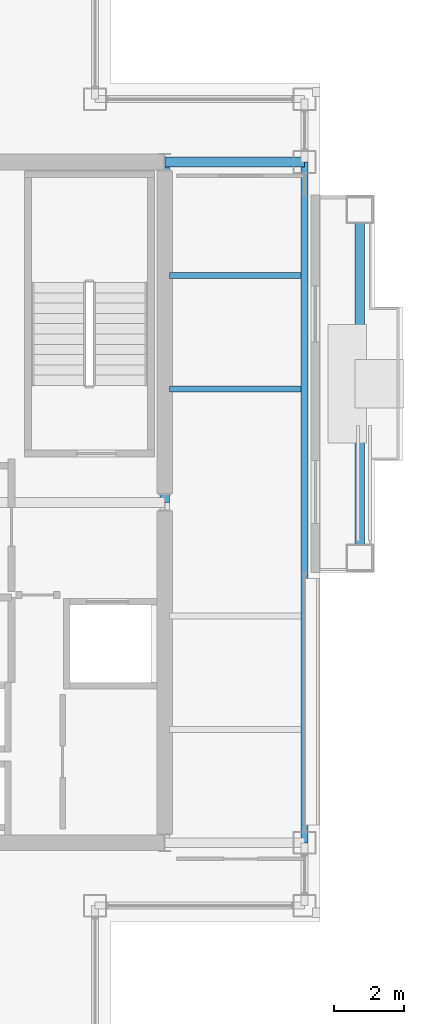
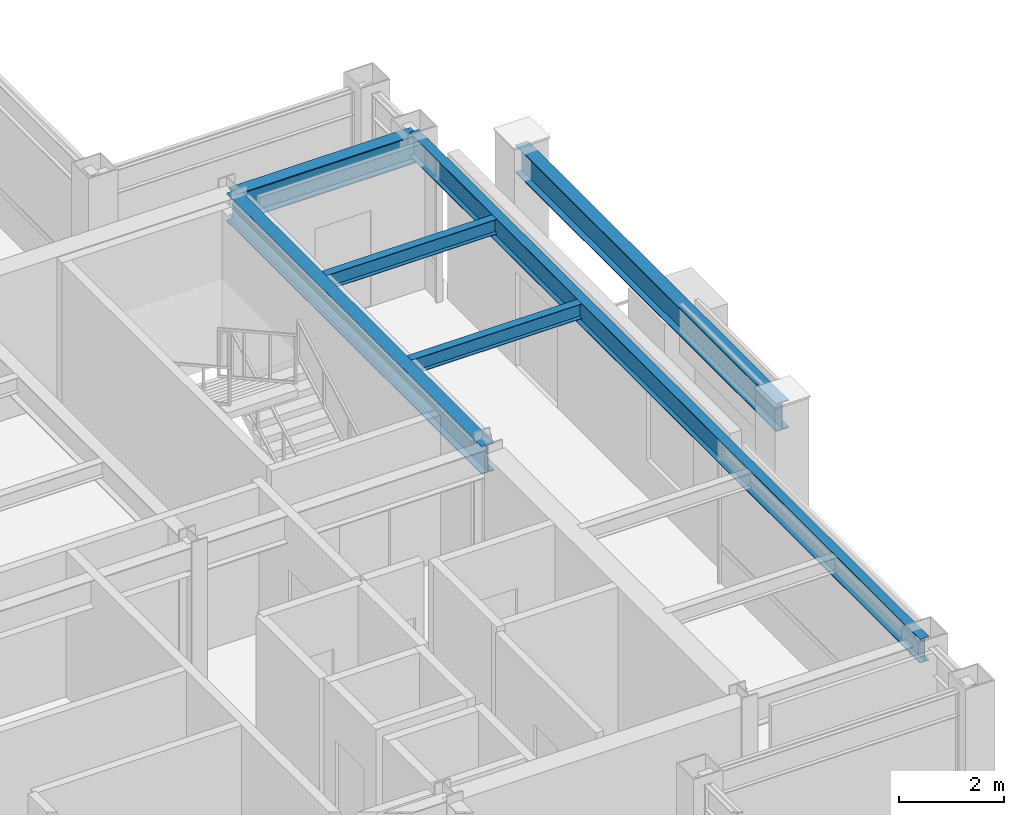
# One storey, part 12 of 23: 6 beams.
"""IFC4 building model written with IfcOpenShell, lengths in metres."""

from ifc_helpers import new_model, si_unit, direction, frame, origin, origin_2d, place, context, subcontext, project, spatial, i_section, extrude, material, material_profile, profile_set, type_object, element, save


model = new_model("IFC4")

# Units and contexts
model_context = context("Model", 3, precision=1e-05, world=origin(), true_north=direction((0.0, 1.0)))
body_context = subcontext(model_context, "Body", "Model", "MODEL_VIEW")
ifc_project = project(units=[si_unit("LENGTHUNIT", "METRE"), si_unit("AREAUNIT", "SQUARE_METRE"), si_unit("VOLUMEUNIT", "CUBIC_METRE"), si_unit("PLANEANGLEUNIT", "RADIAN"), si_unit("MASSUNIT", "GRAM", prefix="KILO")], contexts=[model_context])

# Site, building, storey
site_placement = place(None, origin())
site = spatial("IfcSite", under=ifc_project, at=site_placement, CompositionType="ELEMENT")
building_placement = place(site_placement, origin())
building = spatial("IfcBuilding", under=site, at=building_placement, Name="Brelmoor Portico Tower", CompositionType="ELEMENT")
storey_placement = place(building_placement, frame((0.0, 0.0, 222.0)))
storey = spatial("IfcBuildingStorey", under=building, at=storey_placement, Name="L58", CompositionType="ELEMENT", Elevation=222.0)

# Beams
ifc_material = material(Name="Steel Q355B", Category="steel")
ifc_material_profile_1 = material_profile(ifc_material, i_section(OverallWidth=0.175048828125, OverallDepth=0.35009765625, WebThickness=0.007080078125, FlangeThickness=0.010986328125, at=origin_2d()), Name="HN 350x175x7x11")
ifc_profile_set_1 = profile_set([ifc_material_profile_1], Name="Steel Q355B")
beam_type_1 = type_object("IfcBeamType", Name="BM-JS-350", PredefinedType="JOIST", material=ifc_profile_set_1)
for number, where, z_axis, x_axis, name in (
    (1, (14.68994140625, 3.25, 3.22509765625), (1.0, 0.0, 0.0), (0.0, 1.0, 0.0), "L58 Secondary Wing Joist JS-E13"),
    (2, (14.68994140625, 6.5, 3.22509765625), (1.0, 0.0, 0.0), (0.0, 1.0, 0.0), "L58 Secondary Wing Joist JS-E14"),
):
    element("IfcBeam", number, at=place(storey_placement, frame(where, z_axis=z_axis, x_axis=x_axis)), inside=storey, type_object=beam_type_1, Name=name, PredefinedType="JOIST", context=body_context, shape_type="SweptSolid", body=[
        extrude(i_section(OverallWidth=0.175048828125, OverallDepth=0.35009765625, WebThickness=0.007080078125, FlangeThickness=0.010986328125, at=origin_2d()), origin(), (0.0, 0.0, 1.0), 3.760009765625),
    ])
ifc_material_profile_2 = material_profile(ifc_material, i_section(OverallWidth=0.280029296875, OverallDepth=0.64990234375, WebThickness=0.012939453125, FlangeThickness=0.02197265625, at=origin_2d()), Name="HN 650x280x13x22")
ifc_profile_set_2 = profile_set([ifc_material_profile_2], Name="Steel Q355B")
beam_type_2 = type_object("IfcBeamType", Name="BM-PG-650", PredefinedType="BEAM", material=ifc_profile_set_2)
beam_1_placement = place(storey_placement, frame((14.550048828125, 0.0, 3.074951171875), z_axis=(0.0, 1.0, 0.0), x_axis=(-1.0, 0.0, 0.0)))
element("IfcBeam", 3, at=beam_1_placement, inside=storey, type_object=beam_type_2, Name="L58 Primary Floor Girder PG-10", PredefinedType="BEAM", context=body_context, shape_type="SweptSolid", body=[
    extrude(i_section(OverallWidth=0.280029296875, OverallDepth=0.64990234375, WebThickness=0.012939453125, FlangeThickness=0.02197265625, at=origin_2d()), origin(), (0.0, 0.0, 1.0), 9.75),
])
beam_2_placement = place(storey_placement, frame((14.550048828125, 9.75, 3.074951171875), z_axis=(1.0, 0.0, 0.0), x_axis=(0.0, 1.0, 0.0)))
element("IfcBeam", 4, at=beam_2_placement, inside=storey, type_object=beam_type_2, Name="L58 Primary Floor Girder PG-23", PredefinedType="BEAM", context=body_context, shape_type="SweptSolid", body=[
    extrude(i_section(OverallWidth=0.280029296875, OverallDepth=0.64990234375, WebThickness=0.012939453125, FlangeThickness=0.02197265625, at=origin_2d()), origin(), (0.0, 0.0, 1.0), 4.0),
])
ifc_material_profile_3 = material_profile(ifc_material, i_section(OverallWidth=0.199951171875, OverallDepth=0.550048828125, WebThickness=0.010009765625, FlangeThickness=0.01611328125, at=origin_2d()), Name="HN 550x200x10x16")
ifc_profile_set_3 = profile_set([ifc_material_profile_3], Name="Steel Q355B")
beam_type_3 = type_object("IfcBeamType", Name="BM-SP-550", PredefinedType="SPANDREL", material=ifc_profile_set_3)
beam_3_placement = place(storey_placement, frame((18.550048828125, -9.75, 3.125), z_axis=(0.0, 1.0, 0.0), x_axis=(-1.0, 0.0, 0.0)))
element("IfcBeam", 5, at=beam_3_placement, inside=storey, type_object=beam_type_3, Name="L58 Perimeter Spandrel Beam SP-19", PredefinedType="SPANDREL", context=body_context, shape_type="SweptSolid", body=[
    extrude(i_section(OverallWidth=0.199951171875, OverallDepth=0.550048828125, WebThickness=0.010009765625, FlangeThickness=0.01611328125, at=origin_2d()), origin(), (0.0, 0.0, 1.0), 19.5),
])
ifc_material_profile_4 = material_profile(ifc_material, i_section(OverallWidth=0.280029296875, OverallDepth=0.64990234375, WebThickness=0.012939453125, FlangeThickness=0.02197265625, at=origin_2d()), Name="HN 650x280x13x22")
ifc_profile_set_4 = profile_set([ifc_material_profile_4], Name="Steel Q355B")
beam_type_4 = type_object("IfcBeamType", Name="BM-SP-650", PredefinedType="SPANDREL", material=ifc_profile_set_4)
beam_4_placement = place(storey_placement, frame((20.1298828125, -1.580078125, 3.074951171875), z_axis=(0.0, 1.0, 0.0), x_axis=(-1.0, 0.0, 0.0)))
element("IfcBeam", 6, at=beam_4_placement, inside=storey, type_object=beam_type_4, Name="L58 Picture-Frame Perimeter Lintel Beam E1", PredefinedType="SPANDREL", context=body_context, shape_type="SweptSolid", body=[
    extrude(i_section(OverallWidth=0.280029296875, OverallDepth=0.64990234375, WebThickness=0.012939453125, FlangeThickness=0.02197265625, at=origin_2d()), origin(), (0.0, 0.0, 1.0), 9.9599609375),
])

save(model, "model.ifc")
